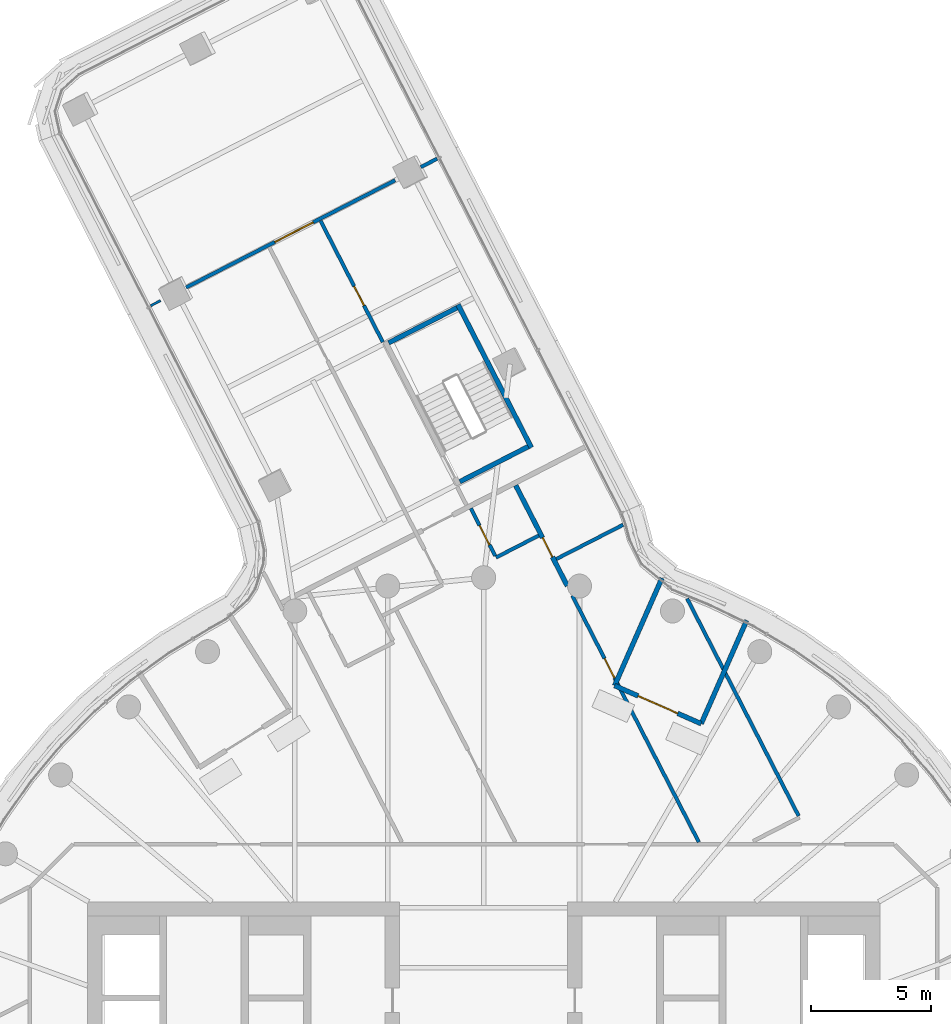
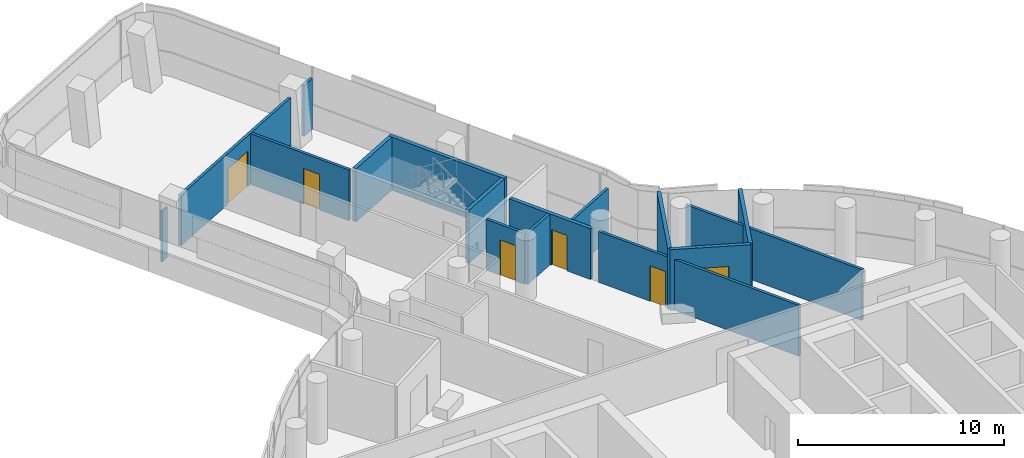
# One storey, part 26 of 37: 16 walls, 6 doors, 6 openings.
"""IFC4 building model written with IfcOpenShell, lengths in metres."""

from ifc_helpers import new_model, si_unit, direction, frame, frame_2d, origin, place, context, subcontext, project, spatial, polyline, rectangle, outline, extrude, material, layer, layer_set, type_object, element, fill, save


model = new_model("IFC4")

# Units and contexts
model_context = context("Model", 3, precision=1e-05, world=origin(), true_north=direction((0.0, 1.0)))
body_context = subcontext(model_context, "Body", "Model", "MODEL_VIEW")
ifc_project = project(units=[si_unit("LENGTHUNIT", "METRE"), si_unit("AREAUNIT", "SQUARE_METRE"), si_unit("VOLUMEUNIT", "CUBIC_METRE"), si_unit("PLANEANGLEUNIT", "RADIAN"), si_unit("MASSUNIT", "GRAM", prefix="KILO")], contexts=[model_context])

# Site, building, storey
site_placement = place(None, origin())
site = spatial("IfcSite", under=ifc_project, at=site_placement, CompositionType="ELEMENT")
building_placement = place(site_placement, origin())
building = spatial("IfcBuilding", under=site, at=building_placement, Name="Tamarind Cross Interchange Tower", CompositionType="ELEMENT")
storey_placement = place(building_placement, frame((0.0, 0.0, 133.0)))
storey = spatial("IfcBuildingStorey", under=building, at=storey_placement, Name="L32", CompositionType="ELEMENT", Elevation=133.0)

# Wall, opening, door
ifc_material_1 = material(Name="Concrete C40", Category="concrete")
ifc_layer_1 = layer(ifc_material_1, 0.199951171875)
ifc_layer_set_1 = layer_set([ifc_layer_1], Name="Concrete C40")
wall_type_1 = type_object("IfcWallType", Name="Balcony and garden door wall", PredefinedType="SOLIDWALL", material=ifc_layer_set_1)
wall_1_placement = place(storey_placement, frame((9.061279296875, 16.91796875, 0.0), z_axis=(0.0, 0.0, 1.0), x_axis=(-0.915163294104, 0.403083297999, 0.0)))
wall_1 = element("IfcWall", 1, at=wall_1_placement, inside=storey, type_object=wall_type_1, Name="EXW-L32-WG-L32-EN", PredefinedType="SOLIDWALL", context=body_context, shape_type="SweptSolid", body=[
    extrude(rectangle(XDim=3.93994140625, YDim=0.199951171875, at=frame_2d((1.969970703125, 0.0))), origin(), (0.0, 0.0, 1.0), 3.610107421875),
])
opening_1_placement = place(wall_1_placement, frame((1.070068359375, 0.0, 0.0)))
opening_1 = element("IfcOpeningElement", 2, at=opening_1_placement, cuts=wall_1, Name="Opening D5", PredefinedType="OPENING", context=body_context, shape_type="SweptSolid", body=[
    extrude(rectangle(XDim=1.800048828125, YDim=2.39990234375, at=frame_2d((0.89990234375, 1.199951171875))), frame((0.0, 0.10986328125, 0.0), z_axis=(0.0, -1.0, 0.0), x_axis=(1.0, 0.0, 0.0)), (0.0, 0.0, 1.0), 0.219970703125),
])
ifc_material_2 = material(Name="Aluminium and toughened glass", Category="aluminium")
door_type_1 = type_object("IfcDoorType", Name="Roof garden door", OperationType="DOUBLE_DOOR_SINGLE_SWING", PredefinedType="DOOR", material=ifc_material_2)
door_1_placement = place(opening_1_placement, origin())
door_1 = element("IfcDoor", 3, at=door_1_placement, inside=storey, type_object=door_type_1, Name="DOR-L32-WG-L32-EN", OperationType="SINGLE_SWING_LEFT", OverallHeight=2.39990234375, OverallWidth=1.800048828125, PredefinedType="DOOR", context=body_context, shape_type="SweptSolid", body=[
    extrude(rectangle(XDim=1.800048828125, YDim=2.39990234375, at=frame_2d((0.89990234375, 1.199951171875))), frame((0.0, 0.02490234375, 0.0), z_axis=(0.0, -1.0, 0.0), x_axis=(1.0, 0.0, 0.0)), (0.0, 0.0, 1.0), 0.050048828125),
])
fill(opening_1, door_1)

# Walls
wall_2_placement = place(storey_placement, frame((9.0615234375, 16.91796875, 0.0), z_axis=(0.0, 0.0, 1.0), x_axis=(0.40309695737, 0.915157277717, 0.0)))
element("IfcWall", 4, at=wall_2_placement, inside=storey, type_object=wall_type_1, Name="EXW-L32-WG-L32-EN-R0", PredefinedType="SOLIDWALL", context=body_context, shape_type="SweptSolid", body=[
    extrude(rectangle(XDim=4.702880859375, YDim=0.199951171875, at=frame_2d((2.3515625, 0.0))), origin(), (0.0, 0.0, 1.0), 3.610107421875),
])
wall_3_placement = place(storey_placement, frame((5.45556640625, 18.506103515625, 0.0), z_axis=(0.0, 0.0, 1.0), x_axis=(0.403071348588, 0.915168557124, 0.0)))
element("IfcWall", 5, at=wall_3_placement, inside=storey, type_object=wall_type_1, Name="EXW-L32-WG-L32-EN-R1", PredefinedType="SOLIDWALL", context=body_context, shape_type="SweptSolid", body=[
    extrude(rectangle(XDim=4.892822265625, YDim=0.199951171875, at=frame_2d((2.4462890625, 0.0))), origin(), (0.0, 0.0, 1.0), 3.610107421875),
])
ifc_material_3 = material(Name="Gypsum board partition on steel studs", Category="steel")
ifc_layer_2 = layer(ifc_material_3, 0.10009765625)
ifc_layer_set_2 = layer_set([ifc_layer_2], Name="Gypsum board partition on steel studs")
wall_type_2 = type_object("IfcWallType", Name="Partition 100 mm EI 90", PredefinedType="PARTITIONING", material=ifc_layer_set_2)
wall_4_placement = place(storey_placement, frame((-13.872314453125, 34.326416015625, 0.0), z_axis=(0.0, 0.0, 1.0), x_axis=(0.889659123309, 0.456625277786, 0.0)))
element("IfcWall", 6, at=wall_4_placement, inside=storey, type_object=wall_type_2, Name="Partition L32-047", PredefinedType="PARTITIONING", context=body_context, shape_type="SweptSolid", body=[
    extrude(rectangle(XDim=0.465576171875, YDim=0.10009765625, at=frame_2d((0.23291015625, 0.0))), origin(), (0.0, 0.0, 1.0), 3.010009765625),
])

# Wall, opening, door
ifc_layer_3 = layer(ifc_material_3, 0.14990234375)
ifc_layer_set_3 = layer_set([ifc_layer_3], Name="Gypsum board partition on steel studs")
wall_type_3 = type_object("IfcWallType", Name="Partition 150 mm EI 120", PredefinedType="PARTITIONING", material=ifc_layer_set_3)
wall_5_placement = place(storey_placement, frame((-6.79443359375, 37.868896484375, 0.0), z_axis=(0.0, 0.0, 1.0), x_axis=(0.456575783118, -0.889684525138, 0.0)))
wall_5 = element("IfcWall", 7, at=wall_5_placement, inside=storey, type_object=wall_type_3, Name="Partition L32-013", PredefinedType="PARTITIONING", context=body_context, shape_type="SweptSolid", body=[
    extrude(rectangle(XDim=5.680419921875, YDim=0.14990234375, at=frame_2d((2.84033203125, 0.0))), origin(), (0.0, 0.0, 1.0), 3.010009765625),
])
opening_2_placement = place(wall_5_placement, frame((3.070068359375, 0.0, 0.0)))
opening_2 = element("IfcOpeningElement", 8, at=opening_2_placement, cuts=wall_5, Name="Opening D07", PredefinedType="OPENING", context=body_context, shape_type="SweptSolid", body=[
    extrude(rectangle(XDim=0.89990234375, YDim=2.10009765625, at=frame_2d((0.449951171875, 1.050048828125))), frame((0.0, 0.0849609375, 0.0), z_axis=(0.0, -1.0, 0.0), x_axis=(1.0, 0.0, 0.0)), (0.0, 0.0, 1.0), 0.169921875),
])
ifc_material_4 = material(Name="Fire-resisting door set")
door_type_2 = type_object("IfcDoorType", Name="Interior door 900 x 2100 FD60S", OperationType="SINGLE_SWING_LEFT", PredefinedType="DOOR", material=ifc_material_4)
door_2_placement = place(opening_2_placement, origin())
door_2 = element("IfcDoor", 9, at=door_2_placement, inside=storey, type_object=door_type_2, Name="Door D07", OperationType="SINGLE_SWING_LEFT", OverallHeight=2.10009765625, OverallWidth=0.89990234375, PredefinedType="DOOR", context=body_context, shape_type="SweptSolid", body=[
    extrude(rectangle(XDim=0.89990234375, YDim=2.10009765625, at=frame_2d((0.449951171875, 1.050048828125))), frame((0.0, 0.02490234375, 0.0), z_axis=(0.0, -1.0, 0.0), x_axis=(1.0, 0.0, 0.0)), (0.0, 0.0, 1.0), 0.050048828125),
])
fill(opening_2, door_2)

wall_6_placement = place(storey_placement, frame((-0.532470703125, 25.885009765625, 0.0), z_axis=(0.0, 0.0, 1.0), x_axis=(0.456385875157, -0.889781958098, 0.0)))
wall_6 = element("IfcWall", 10, at=wall_6_placement, inside=storey, type_object=wall_type_3, Name="Partition L32-019", PredefinedType="PARTITIONING", context=body_context, shape_type="SweptSolid", body=[
    extrude(rectangle(XDim=2.219482421875, YDim=0.14990234375, at=frame_2d((1.10986328125, 0.0))), origin(), (0.0, 0.0, 1.0), 3.010009765625),
])
opening_3_placement = place(wall_6_placement, frame((0.800048828125, 0.0, 0.0)))
opening_3 = element("IfcOpeningElement", 11, at=opening_3_placement, cuts=wall_6, Name="Opening D10", PredefinedType="OPENING", context=body_context, shape_type="SweptSolid", body=[
    extrude(rectangle(XDim=0.89990234375, YDim=2.10009765625, at=frame_2d((0.449951171875, 1.050048828125))), frame((0.0, 0.0849609375, 0.0), z_axis=(0.0, -1.0, 0.0), x_axis=(1.0, 0.0, 0.0)), (0.0, 0.0, 1.0), 0.169921875),
])
door_3_placement = place(opening_3_placement, origin())
door_3 = element("IfcDoor", 12, at=door_3_placement, inside=storey, type_object=door_type_2, Name="Door D10", OperationType="SINGLE_SWING_LEFT", OverallHeight=2.10009765625, OverallWidth=0.89990234375, PredefinedType="DOOR", context=body_context, shape_type="SweptSolid", body=[
    extrude(rectangle(XDim=0.89990234375, YDim=2.10009765625, at=frame_2d((0.449951171875, 1.050048828125))), frame((0.0, 0.02490234375, 0.0), z_axis=(0.0, -1.0, 0.0), x_axis=(1.0, 0.0, 0.0)), (0.0, 0.0, 1.0), 0.050048828125),
])
fill(opening_3, door_3)

wall_7_placement = place(storey_placement, frame((3.68994140625, 22.2578125, 0.0), z_axis=(0.0, 0.0, 1.0), x_axis=(0.45668207617, -0.889629968754, 0.0)))
wall_7 = element("IfcWall", 13, at=wall_7_placement, inside=storey, type_object=wall_type_3, Name="Partition L32-023", PredefinedType="PARTITIONING", context=body_context, shape_type="SweptSolid", body=[
    extrude(rectangle(XDim=11.54150390625, YDim=0.14990234375, at=frame_2d((5.770751953125, 0.0))), origin(), (0.0, 0.0, 1.0), 3.010009765625),
])
opening_4_placement = place(wall_7_placement, frame((2.949951171875, 0.0, 0.0)))
opening_4 = element("IfcOpeningElement", 14, at=opening_4_placement, cuts=wall_7, Name="Opening D14", PredefinedType="OPENING", context=body_context, shape_type="SweptSolid", body=[
    extrude(rectangle(XDim=0.89990234375, YDim=2.10009765625, at=frame_2d((0.449951171875, 1.050048828125))), frame((0.0, 0.0849609375, 0.0), z_axis=(0.0, -1.0, 0.0), x_axis=(1.0, 0.0, 0.0)), (0.0, 0.0, 1.0), 0.169921875),
])
door_4_placement = place(opening_4_placement, origin())
door_4 = element("IfcDoor", 15, at=door_4_placement, inside=storey, type_object=door_type_2, Name="Door D14", OperationType="SINGLE_SWING_RIGHT", OverallHeight=2.10009765625, OverallWidth=0.89990234375, PredefinedType="DOOR", context=body_context, shape_type="SweptSolid", body=[
    extrude(rectangle(XDim=0.89990234375, YDim=2.10009765625, at=frame_2d((0.449951171875, 1.050048828125))), frame((0.0, 0.02490234375, 0.0), z_axis=(0.0, -1.0, 0.0), x_axis=(1.0, 0.0, 0.0)), (0.0, 0.0, 1.0), 0.050048828125),
])
fill(opening_4, door_4)

# Wall
wall_8_placement = place(storey_placement, frame((8.4755859375, 22.1298828125, 0.0), z_axis=(0.0, 0.0, 1.0), x_axis=(0.456531545436, -0.889707226014, 0.0)))
element("IfcWall", 16, at=wall_8_placement, inside=storey, type_object=wall_type_3, Name="Partition L32-027", PredefinedType="PARTITIONING", context=body_context, shape_type="SweptSolid", body=[
    extrude(rectangle(XDim=10.1708984375, YDim=0.14990234375, at=frame_2d((5.08544921875, 0.0))), origin(), (0.0, 0.0, 1.0), 3.010009765625),
])

# Wall, opening, door
wall_9_placement = place(storey_placement, frame((-12.395751953125, 35.083984375, 0.0), z_axis=(0.0, 0.0, 1.0), x_axis=(0.889696484295, 0.456552478729, 0.0)))
wall_9 = element("IfcWall", 17, at=wall_9_placement, inside=storey, type_object=wall_type_3, Name="Partition L32-048", PredefinedType="PARTITIONING", context=body_context, shape_type="SweptSolid", body=[
    extrude(rectangle(XDim=9.79345703125, YDim=0.14990234375, at=frame_2d((4.896728515625, 0.0))), origin(), (0.0, 0.0, 1.0), 3.010009765625),
])
opening_5_placement = place(wall_9_placement, frame((4.155029296875, 0.0, 0.0)))
opening_5 = element("IfcOpeningElement", 18, at=opening_5_placement, cuts=wall_9, Name="Opening D31", PredefinedType="OPENING", context=body_context, shape_type="SweptSolid", body=[
    extrude(rectangle(XDim=1.800048828125, YDim=2.10009765625, at=frame_2d((0.89990234375, 1.050048828125))), frame((0.0, 0.0849609375, 0.0), z_axis=(0.0, -1.0, 0.0), x_axis=(1.0, 0.0, 0.0)), (0.0, 0.0, 1.0), 0.169921875),
])
door_type_3 = type_object("IfcDoorType", Name="Interior door 1800 x 2100 FD60S", OperationType="DOUBLE_DOOR_SINGLE_SWING", PredefinedType="DOOR", material=ifc_material_4)
door_5_placement = place(opening_5_placement, frame((1.800048828125, 0.0, 0.0), z_axis=(0.0, 0.0, 1.0), x_axis=(-1.0, 0.0, 0.0)))
door_5 = element("IfcDoor", 19, at=door_5_placement, inside=storey, type_object=door_type_3, Name="Door D31", OperationType="DOUBLE_DOOR_SINGLE_SWING", OverallHeight=2.10009765625, OverallWidth=1.800048828125, PredefinedType="DOOR", context=body_context, shape_type="SweptSolid", body=[
    extrude(rectangle(XDim=1.800048828125, YDim=2.10009765625, at=frame_2d((0.89990234375, 1.050048828125))), frame((0.0, 0.02490234375, 0.0), z_axis=(0.0, -1.0, 0.0), x_axis=(1.0, 0.0, 0.0)), (0.0, 0.0, 1.0), 0.050048828125),
])
fill(opening_5, door_5)

# Walls
wall_10_placement = place(storey_placement, frame((-2.618896484375, 40.10107421875, 0.0), z_axis=(0.0, 0.0, 1.0), x_axis=(0.889784233191, 0.456381439549, 0.0)))
element("IfcWall", 20, at=wall_10_placement, inside=storey, type_object=wall_type_3, Name="Partition L32-049", PredefinedType="PARTITIONING", context=body_context, shape_type="SweptSolid", body=[
    extrude(rectangle(XDim=0.764892578125, YDim=0.14990234375, at=frame_2d((0.38232421875, 0.0))), origin(), (0.0, 0.0, 1.0), 3.010009765625),
])
wall_11_placement = place(storey_placement, frame((3.027587890625, 23.777587890625, 0.0), z_axis=(0.0, 0.0, 1.0), x_axis=(0.889763060591, 0.456422716358, 0.0)))
element("IfcWall", 21, at=wall_11_placement, inside=storey, type_object=wall_type_3, Name="Partition L32-053", PredefinedType="PARTITIONING", context=body_context, shape_type="SweptSolid", body=[
    extrude(rectangle(XDim=3.130859375, YDim=0.14990234375, at=frame_2d((1.5654296875, 0.0))), origin(), (0.0, 0.0, 1.0), 3.010009765625),
])
wall_12_placement = place(storey_placement, frame((0.51611328125, 23.841064453125, 0.0), z_axis=(0.0, 0.0, 1.0), x_axis=(0.889517422717, 0.456901252662, 0.0)))
element("IfcWall", 22, at=wall_12_placement, inside=storey, type_object=wall_type_3, Name="Partition L32-055", PredefinedType="PARTITIONING", context=body_context, shape_type="SweptSolid", body=[
    extrude(rectangle(XDim=2.00048828125, YDim=0.14990234375, at=frame_2d((1.000244140625, 0.0))), origin(), (0.0, 0.0, 1.0), 3.010009765625),
])

# Wall, opening, door
ifc_layer_4 = layer(ifc_material_3, 0.199951171875)
ifc_layer_set_4 = layer_set([ifc_layer_4], Name="Gypsum board partition on steel studs")
wall_type_4 = type_object("IfcWallType", Name="Partition 200 mm EI 180", PredefinedType="PARTITIONING", material=ifc_layer_set_4)
wall_13_placement = place(storey_placement, frame((1.335693359375, 26.843994140625, 0.0), z_axis=(0.0, 0.0, 1.0), x_axis=(0.456669351615, -0.889636500654, 0.0)))
wall_13 = element("IfcWall", 23, at=wall_13_placement, inside=storey, type_object=wall_type_4, Name="Partition L32-022", PredefinedType="PARTITIONING", context=body_context, shape_type="SweptSolid", body=[
    extrude(rectangle(XDim=4.707275390625, YDim=0.199951171875, at=frame_2d((2.353515625, 0.0))), origin(), (0.0, 0.0, 1.0), 3.010009765625),
])
opening_6_placement = place(wall_13_placement, frame((2.449951171875, 0.0, 0.0)))
opening_6 = element("IfcOpeningElement", 24, at=opening_6_placement, cuts=wall_13, Name="Opening D13", PredefinedType="OPENING", context=body_context, shape_type="SweptSolid", body=[
    extrude(rectangle(XDim=0.89990234375, YDim=2.10009765625, at=frame_2d((0.449951171875, 1.050048828125))), frame((0.0, 0.10986328125, 0.0), z_axis=(0.0, -1.0, 0.0), x_axis=(1.0, 0.0, 0.0)), (0.0, 0.0, 1.0), 0.219970703125),
])
door_type_4 = type_object("IfcDoorType", Name="Interior door 900 x 2100 FD120S", OperationType="SINGLE_SWING_LEFT", PredefinedType="DOOR", material=ifc_material_4)
door_6_placement = place(opening_6_placement, origin())
door_6 = element("IfcDoor", 25, at=door_6_placement, inside=storey, type_object=door_type_4, Name="Door D13", OperationType="SINGLE_SWING_LEFT", OverallHeight=2.10009765625, OverallWidth=0.89990234375, PredefinedType="DOOR", context=body_context, shape_type="SweptSolid", body=[
    extrude(rectangle(XDim=0.89990234375, YDim=2.10009765625, at=frame_2d((0.449951171875, 1.050048828125))), frame((0.0, 0.02490234375, 0.0), z_axis=(0.0, -1.0, 0.0), x_axis=(1.0, 0.0, 0.0)), (0.0, 0.0, 1.0), 0.050048828125),
])
fill(opening_6, door_6)

# Walls
ifc_layer_5 = layer(ifc_material_1, 0.199951171875)
ifc_layer_set_5 = layer_set([ifc_layer_5], Name="Concrete C40")
wall_type_5 = type_object("IfcWallType", Name="Stair shaft wall 200 mm Concrete C40", PredefinedType="SHEAR", material=ifc_layer_set_5)
wall_14_placement = place(storey_placement, frame((1.989990234375, 28.416259765625, -0.139892578125), z_axis=(0.0, 0.0, 1.0), x_axis=(-0.456546705756, 0.889699446703, 0.0)))
element("IfcWall", 26, at=wall_14_placement, inside=storey, type_object=wall_type_5, Name="Core wall CWL-L32-ST4-C", PredefinedType="SHEAR", context=body_context, shape_type="SweptSolid", body=[
    extrude(rectangle(XDim=6.699951171875, YDim=0.199951171875, at=frame_2d((3.35009765625, 0.0))), origin(), (0.0, 0.0, 1.0), 3.14990234375),
])
wall_15_placement = place(storey_placement, frame((1.85546875, 28.459716796875, -0.139892578125), z_axis=(0.0, 0.0, 1.0), x_axis=(-0.889693512727, -0.456558269459, 0.0)))
element("IfcWall", 27, at=wall_15_placement, inside=storey, type_object=wall_type_5, Name="Core wall CWL-L32-ST4-CE", PredefinedType="SHEAR", context=body_context, shape_type="SweptSolid", body=[
    extrude(rectangle(XDim=3.199951171875, YDim=0.199951171875, at=frame_2d((1.60009765625, 0.0))), origin(), (0.0, 0.0, 1.0), 3.14990234375),
])
wall_16_placement = place(storey_placement, frame((0.0, 0.0, -0.139892578125)))
element("IfcWall", 28, at=wall_16_placement, inside=storey, type_object=wall_type_5, Name="Core wall CWL-L32-ST4-CF", PredefinedType="SHEAR", context=body_context, shape_type="SweptSolid", body=[
    extrude(outline(polyline([(-1.06640625, 34.15380859375), (-1.15771484375, 34.331787109375), (-4.0048828125, 32.87060546875), (-3.91357421875, 32.692626953125), (-1.06640625, 34.15380859375)])), origin(), (0.0, 0.0, 1.0), 3.14990234375),
])

save(model, "model.ifc")
